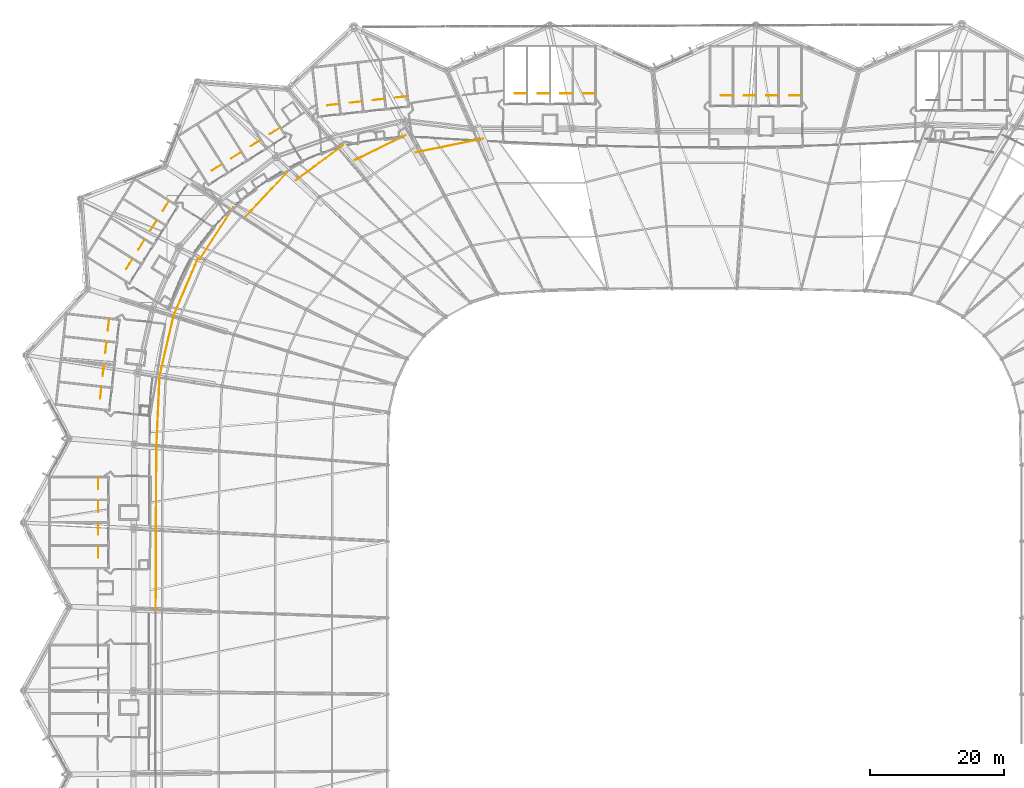
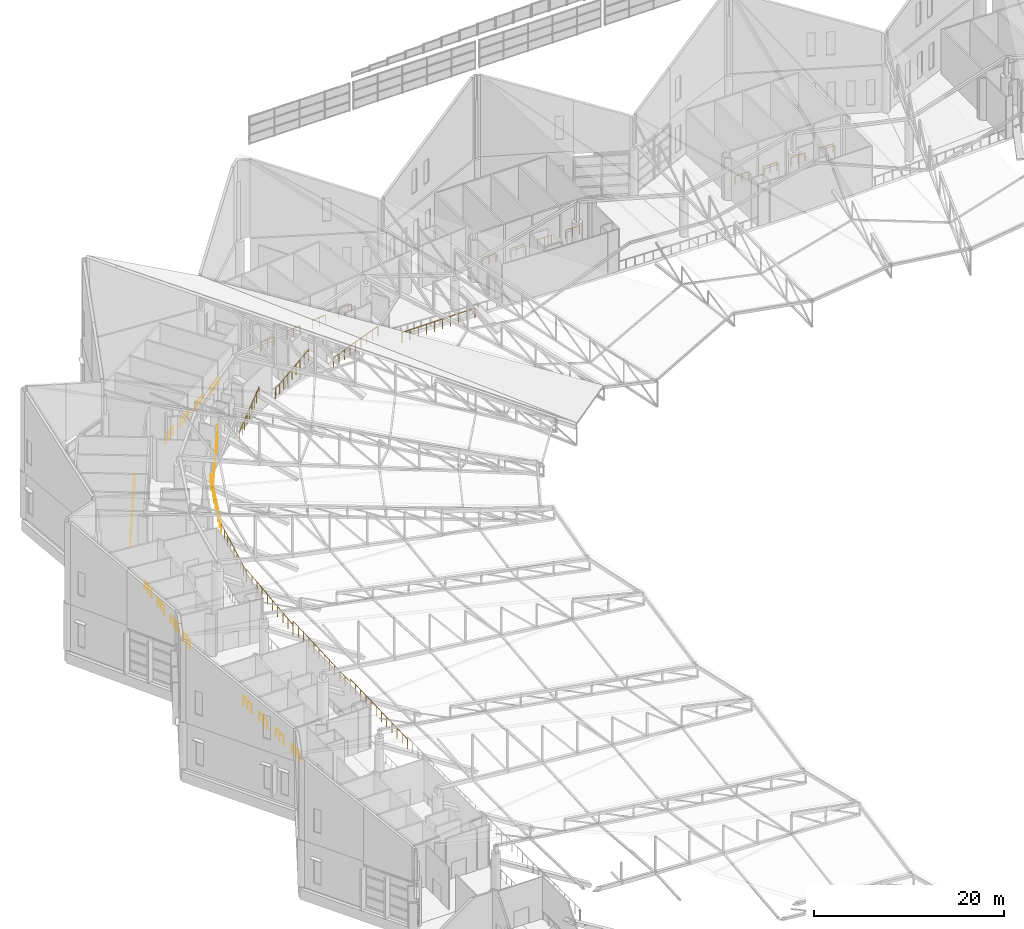
# One storey, part 343 of 344: 38 railings.
"""IFC4 building model written with IfcOpenShell, lengths in metres."""

from ifc_helpers import new_model, si_unit, direction, frame, origin, origin_2d, place, context, subcontext, project, spatial, circle, extrude, material, type_object, element, save


model = new_model("IFC4")

# Units and contexts
model_context = context("Model", 3, precision=1e-05, world=origin(), true_north=direction((0.0, 1.0)))
body_context = subcontext(model_context, "Body", "Model", "MODEL_VIEW")
ifc_project = project(units=[si_unit("LENGTHUNIT", "METRE"), si_unit("AREAUNIT", "SQUARE_METRE"), si_unit("VOLUMEUNIT", "CUBIC_METRE"), si_unit("PLANEANGLEUNIT", "RADIAN"), si_unit("MASSUNIT", "GRAM", prefix="KILO")], contexts=[model_context])

# Site, building, storey
site_placement = place(None, origin())
site = spatial("IfcSite", under=ifc_project, at=site_placement, CompositionType="ELEMENT")
building_placement = place(site_placement, origin())
building = spatial("IfcBuilding", under=site, at=building_placement, Name="Meseta Stadium", CompositionType="ELEMENT")
storey_placement = place(building_placement, frame((0.0, 0.0, 24.0)))
storey = spatial("IfcBuildingStorey", under=building, at=storey_placement, Name="L04", CompositionType="ELEMENT", Elevation=24.0)

# Railings
ifc_material_1 = material(Name="Steel S355", Category="steel")
railing_type_1 = type_object("IfcRailingType", Name="Stair guard 1100", PredefinedType="GUARDRAIL", material=ifc_material_1)
for number, where, name in (
    (1, (14.36669921875, 94.85009765625, 0.0), "ST37 L04 well guard 1"),
    (2, (10.966552734375, 94.85009765625, 0.0), "ST38 L04 well guard 1"),
    (3, (7.566650390625, 94.85009765625, 0.0), "ST39 L04 well guard 1"),
):
    element("IfcRailing", number, at=place(storey_placement, frame(where)), inside=storey, type_object=railing_type_1, Name=name, PredefinedType="GUARDRAIL", context=body_context, shape_type="SweptSolid", body=[
        extrude(circle(Radius=0.02392578125, at=origin_2d()), frame((0.0, 0.0, 1.076171875), z_axis=(-1.0, 0.0, 0.0), x_axis=(0.0, -1.0, 0.0)), (0.0, 0.0, 1.0), 1.699951171875),
        extrude(circle(Radius=0.02099609375, at=origin_2d()), origin(), (0.0, 0.0, 1.0), 1.052001953125),
        extrude(circle(Radius=0.02099609375, at=origin_2d()), frame((-0.85009765625, 0.0, 0.0)), (0.0, 0.0, 1.0), 1.052001953125),
        extrude(circle(Radius=0.02099609375, at=origin_2d()), frame((-1.699951171875, 0.0, 0.0)), (0.0, 0.0, 1.0), 1.052001953125),
    ])
railing_1_placement = place(storey_placement, frame((4.166748046875, 94.85009765625, 0.0)))
element("IfcRailing", 4, at=railing_1_placement, inside=storey, type_object=railing_type_1, Name="ST40 L04 well guard 1", PredefinedType="GUARDRAIL", context=body_context, shape_type="SweptSolid", body=[
    extrude(circle(Radius=0.02392578125, at=origin_2d()), frame((0.0, 0.0, 1.076171875), z_axis=(-1.0, 0.0, 0.0), x_axis=(0.0, -1.0, 0.0)), (0.0, 0.0, 1.0), 1.7001953125),
    extrude(circle(Radius=0.02099609375, at=origin_2d()), origin(), (0.0, 0.0, 1.0), 1.052001953125),
    extrude(circle(Radius=0.02099609375, at=origin_2d()), frame((-0.85009765625, 0.0, 0.0)), (0.0, 0.0, 1.0), 1.052001953125),
    extrude(circle(Radius=0.02099609375, at=origin_2d()), frame((-1.7001953125, 0.0, 0.0)), (0.0, 0.0, 1.0), 1.052001953125),
])
for number, where, name in (
    (5, (-16.300048828125, 95.14990234375, 0.0), "ST41 L04 well guard 1"),
    (6, (-19.699951171875, 95.14990234375, 0.0), "ST42 L04 well guard 1"),
    (7, (-23.10009765625, 95.14990234375, 0.0), "ST43 L04 well guard 1"),
    (8, (-26.5, 95.14990234375, 0.0), "ST44 L04 well guard 1"),
):
    element("IfcRailing", number, at=place(storey_placement, frame(where)), inside=storey, type_object=railing_type_1, Name=name, PredefinedType="GUARDRAIL", context=body_context, shape_type="SweptSolid", body=[
        extrude(circle(Radius=0.02392578125, at=origin_2d()), frame((0.0, 0.0, 1.076171875), z_axis=(-1.0, 0.0, 0.0), x_axis=(0.0, -1.0, 0.0)), (0.0, 0.0, 1.0), 1.699951171875),
        extrude(circle(Radius=0.02099609375, at=origin_2d()), origin(), (0.0, 0.0, 1.0), 1.052001953125),
        extrude(circle(Radius=0.02099609375, at=origin_2d()), frame((-0.85009765625, 0.0, 0.0)), (0.0, 0.0, 1.0), 1.052001953125),
        extrude(circle(Radius=0.02099609375, at=origin_2d()), frame((-1.699951171875, 0.0, 0.0)), (0.0, 0.0, 1.0), 1.052001953125),
    ])
for number, where, name in (
    (9, (-44.296630859375, 94.721923828125, 0.0), "ST45 L04 well guard 1"),
    (10, (-47.67529296875, 94.34130859375, 0.0), "ST46 L04 well guard 1"),
):
    element("IfcRailing", number, at=place(storey_placement, frame(where)), inside=storey, type_object=railing_type_1, Name=name, PredefinedType="GUARDRAIL", context=body_context, shape_type="SweptSolid", body=[
        extrude(circle(Radius=0.02392578125, at=origin_2d()), frame((0.0, 0.0, 1.076171875), z_axis=(-0.993705561929, -0.112023462683, 0.0), x_axis=(0.112023462683, -0.993705561929, 0.0)), (0.0, 0.0, 1.0), 1.699951171875),
        extrude(circle(Radius=0.02099609375, at=origin_2d()), origin(), (0.0, 0.0, 1.0), 1.052001953125),
        extrude(circle(Radius=0.02099609375, at=origin_2d()), frame((-0.8447265625, -0.09521484375, 0.0)), (0.0, 0.0, 1.0), 1.052001953125),
        extrude(circle(Radius=0.02099609375, at=origin_2d()), frame((-1.689208984375, -0.1904296875, 0.0)), (0.0, 0.0, 1.0), 1.052001953125),
    ])
for number, where, name in (
    (11, (-51.0537109375, 93.96044921875, 0.0), "ST47 L04 well guard 1"),
    (12, (-54.432373046875, 93.579833984375, 0.0), "ST48 L04 well guard 1"),
):
    element("IfcRailing", number, at=place(storey_placement, frame(where)), inside=storey, type_object=railing_type_1, Name=name, PredefinedType="GUARDRAIL", context=body_context, shape_type="SweptSolid", body=[
        extrude(circle(Radius=0.02392578125, at=origin_2d()), frame((0.0, 0.0, 1.076171875), z_axis=(-0.993723336991, -0.111865676231, 0.0), x_axis=(0.111865676231, -0.993723336991, 0.0)), (0.0, 0.0, 1.0), 1.7001953125),
        extrude(circle(Radius=0.02099609375, at=origin_2d()), origin(), (0.0, 0.0, 1.0), 1.052001953125),
        extrude(circle(Radius=0.02099609375, at=origin_2d()), frame((-0.8447265625, -0.09521484375, 0.0)), (0.0, 0.0, 1.0), 1.052001953125),
        extrude(circle(Radius=0.02099609375, at=origin_2d()), frame((-1.689453125, -0.190185546875, 0.0)), (0.0, 0.0, 1.0), 1.052001953125),
    ])
for number, where, name in (
    (13, (-63.23095703125, 90.01611328125, 0.0), "ST49 L04 well guard 1"),
    (14, (-66.10986328125, 88.207275390625, 0.0), "ST50 L04 well guard 1"),
):
    element("IfcRailing", number, at=place(storey_placement, frame(where)), inside=storey, type_object=railing_type_1, Name=name, PredefinedType="GUARDRAIL", context=body_context, shape_type="SweptSolid", body=[
        extrude(circle(Radius=0.02392578125, at=origin_2d()), frame((0.0, 0.0, 1.076171875), z_axis=(-0.846704942353, -0.532062722425, 0.0), x_axis=(0.532062722425, -0.846704942353, 0.0)), (0.0, 0.0, 1.0), 1.699951171875),
        extrude(circle(Radius=0.02099609375, at=origin_2d()), origin(), (0.0, 0.0, 1.0), 1.052001953125),
        extrude(circle(Radius=0.02099609375, at=origin_2d()), frame((-0.7197265625, -0.4521484375, 0.0)), (0.0, 0.0, 1.0), 1.052001953125),
        extrude(circle(Radius=0.02099609375, at=origin_2d()), frame((-1.439453125, -0.904541015625, 0.0)), (0.0, 0.0, 1.0), 1.052001953125),
    ])
railing_2_placement = place(storey_placement, frame((-68.98876953125, 86.398193359375, 0.0)))
element("IfcRailing", 15, at=railing_2_placement, inside=storey, type_object=railing_type_1, Name="ST51 L04 well guard 1", PredefinedType="GUARDRAIL", context=body_context, shape_type="SweptSolid", body=[
    extrude(circle(Radius=0.02392578125, at=origin_2d()), frame((0.0, 0.0, 1.076171875), z_axis=(-0.846728987356, -0.532024456178, 0.0), x_axis=(0.532024456178, -0.846728987356, 0.0)), (0.0, 0.0, 1.0), 1.69970703125),
    extrude(circle(Radius=0.02099609375, at=origin_2d()), origin(), (0.0, 0.0, 1.0), 1.052001953125),
    extrude(circle(Radius=0.02099609375, at=origin_2d()), frame((-0.7197265625, -0.4521484375, 0.0)), (0.0, 0.0, 1.0), 1.052001953125),
    extrude(circle(Radius=0.02099609375, at=origin_2d()), frame((-1.439208984375, -0.904296875, 0.0)), (0.0, 0.0, 1.0), 1.052001953125),
])
railing_3_placement = place(storey_placement, frame((-71.867431640625, 84.58935546875, 0.0)))
element("IfcRailing", 16, at=railing_3_placement, inside=storey, type_object=railing_type_1, Name="ST52 L04 well guard 1", PredefinedType="GUARDRAIL", context=body_context, shape_type="SweptSolid", body=[
    extrude(circle(Radius=0.02392578125, at=origin_2d()), frame((0.0, 0.0, 1.076171875), z_axis=(-0.846704942353, -0.532062722425, 0.0), x_axis=(0.532062722425, -0.846704942353, 0.0)), (0.0, 0.0, 1.0), 1.699951171875),
    extrude(circle(Radius=0.02099609375, at=origin_2d()), origin(), (0.0, 0.0, 1.0), 1.052001953125),
    extrude(circle(Radius=0.02099609375, at=origin_2d()), frame((-0.7197265625, -0.4521484375, 0.0)), (0.0, 0.0, 1.0), 1.052001953125),
    extrude(circle(Radius=0.02099609375, at=origin_2d()), frame((-1.439453125, -0.904541015625, 0.0)), (0.0, 0.0, 1.0), 1.052001953125),
])
railing_4_placement = place(storey_placement, frame((-79.733642578125, 79.109130859375, 0.0)))
element("IfcRailing", 17, at=railing_4_placement, inside=storey, type_object=railing_type_1, Name="ST53 L04 well guard 1", PredefinedType="GUARDRAIL", context=body_context, shape_type="SweptSolid", body=[
    extrude(circle(Radius=0.02392578125, at=origin_2d()), frame((0.0, 0.0, 1.076171875), z_axis=(-0.531959757672, -0.846769635862, 0.0), x_axis=(0.846769635862, -0.531959757672, 0.0)), (0.0, 0.0, 1.0), 1.699951171875),
    extrude(circle(Radius=0.02099609375, at=origin_2d()), origin(), (0.0, 0.0, 1.0), 1.052001953125),
    extrude(circle(Radius=0.02099609375, at=origin_2d()), frame((-0.4521484375, -0.7197265625, 0.0)), (0.0, 0.0, 1.0), 1.052001953125),
    extrude(circle(Radius=0.02099609375, at=origin_2d()), frame((-0.904296875, -1.439453125, 0.0)), (0.0, 0.0, 1.0), 1.052001953125),
])
for number, where, name in (
    (18, (-81.54248046875, 76.230224609375, 0.0), "ST54 L04 well guard 1"),
    (19, (-83.351318359375, 73.351318359375, 0.0), "ST55 L04 well guard 1"),
):
    element("IfcRailing", number, at=place(storey_placement, frame(where)), inside=storey, type_object=railing_type_1, Name=name, PredefinedType="GUARDRAIL", context=body_context, shape_type="SweptSolid", body=[
        extrude(circle(Radius=0.02392578125, at=origin_2d()), frame((0.0, 0.0, 1.076171875), z_axis=(-0.532062722425, -0.846704942353, 0.0), x_axis=(0.846704942353, -0.532062722425, 0.0)), (0.0, 0.0, 1.0), 1.699951171875),
        extrude(circle(Radius=0.02099609375, at=origin_2d()), origin(), (0.0, 0.0, 1.0), 1.052001953125),
        extrude(circle(Radius=0.02099609375, at=origin_2d()), frame((-0.4521484375, -0.7197265625, 0.0)), (0.0, 0.0, 1.0), 1.052001953125),
        extrude(circle(Radius=0.02099609375, at=origin_2d()), frame((-0.904541015625, -1.439453125, 0.0)), (0.0, 0.0, 1.0), 1.052001953125),
    ])
railing_5_placement = place(storey_placement, frame((-85.160400390625, 70.472412109375, 0.0)))
element("IfcRailing", 20, at=railing_5_placement, inside=storey, type_object=railing_type_1, Name="ST56 L04 well guard 1", PredefinedType="GUARDRAIL", context=body_context, shape_type="SweptSolid", body=[
    extrude(circle(Radius=0.02392578125, at=origin_2d()), frame((0.0, 0.0, 1.076171875), z_axis=(-0.531959757672, -0.846769635862, 0.0), x_axis=(0.846769635862, -0.531959757672, 0.0)), (0.0, 0.0, 1.0), 1.699951171875),
    extrude(circle(Radius=0.02099609375, at=origin_2d()), origin(), (0.0, 0.0, 1.0), 1.052001953125),
    extrude(circle(Radius=0.02099609375, at=origin_2d()), frame((-0.4521484375, -0.7197265625, 0.0)), (0.0, 0.0, 1.0), 1.052001953125),
    extrude(circle(Radius=0.02099609375, at=origin_2d()), frame((-0.904296875, -1.439453125, 0.0)), (0.0, 0.0, 1.0), 1.052001953125),
])
railing_6_placement = place(storey_placement, frame((-88.62548828125, 61.545166015625, 0.0)))
element("IfcRailing", 21, at=railing_6_placement, inside=storey, type_object=railing_type_1, Name="ST57 L04 well guard 1", PredefinedType="GUARDRAIL", context=body_context, shape_type="SweptSolid", body=[
    extrude(circle(Radius=0.02392578125, at=origin_2d()), frame((0.0, 0.0, 1.076171875), z_axis=(-0.111865676231, -0.993723336991, 0.0), x_axis=(0.993723336991, -0.111865676231, 0.0)), (0.0, 0.0, 1.0), 1.7001953125),
    extrude(circle(Radius=0.02099609375, at=origin_2d()), origin(), (0.0, 0.0, 1.0), 1.052001953125),
    extrude(circle(Radius=0.02099609375, at=origin_2d()), frame((-0.09521484375, -0.8447265625, 0.0)), (0.0, 0.0, 1.0), 1.052001953125),
    extrude(circle(Radius=0.02099609375, at=origin_2d()), frame((-0.190185546875, -1.689453125, 0.0)), (0.0, 0.0, 1.0), 1.052001953125),
])
railing_7_placement = place(storey_placement, frame((-89.006103515625, 58.16650390625, 0.0)))
element("IfcRailing", 22, at=railing_7_placement, inside=storey, type_object=railing_type_1, Name="ST58 L04 well guard 1", PredefinedType="GUARDRAIL", context=body_context, shape_type="SweptSolid", body=[
    extrude(circle(Radius=0.02392578125, at=origin_2d()), frame((0.0, 0.0, 1.076171875), z_axis=(-0.11188164176, -0.993721539586, 0.0), x_axis=(0.993721539586, -0.11188164176, 0.0)), (0.0, 0.0, 1.0), 1.699951171875),
    extrude(circle(Radius=0.02099609375, at=origin_2d()), origin(), (0.0, 0.0, 1.0), 1.052001953125),
    extrude(circle(Radius=0.02099609375, at=origin_2d()), frame((-0.09521484375, -0.8447265625, 0.0)), (0.0, 0.0, 1.0), 1.052001953125),
    extrude(circle(Radius=0.02099609375, at=origin_2d()), frame((-0.190185546875, -1.689208984375, 0.0)), (0.0, 0.0, 1.0), 1.052001953125),
])
for number, where, name in (
    (23, (-89.38671875, 54.787841796875, 0.0), "ST59 L04 well guard 1"),
    (24, (-89.767333984375, 51.4091796875, 0.0), "ST60 L04 well guard 1"),
):
    element("IfcRailing", number, at=place(storey_placement, frame(where)), inside=storey, type_object=railing_type_1, Name=name, PredefinedType="GUARDRAIL", context=body_context, shape_type="SweptSolid", body=[
        extrude(circle(Radius=0.02392578125, at=origin_2d()), frame((0.0, 0.0, 1.076171875), z_axis=(-0.112023462683, -0.993705561929, 0.0), x_axis=(0.993705561929, -0.112023462683, 0.0)), (0.0, 0.0, 1.0), 1.699951171875),
        extrude(circle(Radius=0.02099609375, at=origin_2d()), origin(), (0.0, 0.0, 1.0), 1.052001953125),
        extrude(circle(Radius=0.02099609375, at=origin_2d()), frame((-0.09521484375, -0.8447265625, 0.0)), (0.0, 0.0, 1.0), 1.052001953125),
        extrude(circle(Radius=0.02099609375, at=origin_2d()), frame((-0.1904296875, -1.689208984375, 0.0)), (0.0, 0.0, 1.0), 1.052001953125),
    ])
for number, where, name in (
    (25, (-90.25, 37.949951171875, 0.0), "ST61 L04 well guard 1"),
    (26, (-90.25, 34.550048828125, 0.0), "ST62 L04 well guard 1"),
    (27, (-90.25, 31.14990234375, 0.0), "ST63 L04 well guard 1"),
    (28, (-90.25, 27.75, 0.0), "ST64 L04 well guard 1"),
):
    element("IfcRailing", number, at=place(storey_placement, frame(where)), inside=storey, type_object=railing_type_1, Name=name, PredefinedType="GUARDRAIL", context=body_context, shape_type="SweptSolid", body=[
        extrude(circle(Radius=0.02392578125, at=origin_2d()), frame((0.0, 0.0, 1.076171875), z_axis=(0.0, -1.0, 0.0), x_axis=(1.0, 0.0, 0.0)), (0.0, 0.0, 1.0), 1.699951171875),
        extrude(circle(Radius=0.02099609375, at=origin_2d()), origin(), (0.0, 0.0, 1.0), 1.052001953125),
        extrude(circle(Radius=0.02099609375, at=origin_2d()), frame((0.0, -0.85009765625, 0.0)), (0.0, 0.0, 1.0), 1.052001953125),
        extrude(circle(Radius=0.02099609375, at=origin_2d()), frame((0.0, -1.699951171875, 0.0)), (0.0, 0.0, 1.0), 1.052001953125),
    ])
ifc_material_2 = material(Name="Steel S355", Category="steel")
railing_type_2 = type_object("IfcRailingType", Name="Stand rear guard 1300", PredefinedType="GUARDRAIL", material=ifc_material_2)
railing_8_placement = place(storey_placement, frame((-32.94384765625, 88.418701171875, -0.89697265625)))
element("IfcRailing", 29, at=railing_8_placement, inside=storey, type_object=railing_type_2, Name="Stand upper tier rear guard bay 22", PredefinedType="GUARDRAIL", context=body_context, shape_type="SweptSolid", body=[
    extrude(circle(Radius=0.02490234375, at=origin_2d()), frame((0.0, 0.0, 1.27490234375), z_axis=(-0.968175794174, -0.197036068261, 0.154312732398), x_axis=(0.199424767209, -0.979913140142, 0.0)), (0.0, 0.0, 1.0), 10.365966796875),
    extrude(circle(Radius=0.02001953125, at=origin_2d()), origin(), (0.0, 0.0, 1.0), 1.25),
    extrude(circle(Radius=0.02001953125, at=origin_2d()), frame((-1.115234375, -0.22705078125, 0.177734375)), (0.0, 0.0, 1.0), 1.25),
    extrude(circle(Radius=0.02001953125, at=origin_2d()), frame((-2.230224609375, -0.453857421875, 0.35546875)), (0.0, 0.0, 1.0), 1.25),
    extrude(circle(Radius=0.02001953125, at=origin_2d()), frame((-3.345458984375, -0.680908203125, 0.533203125)), (0.0, 0.0, 1.0), 1.25),
    extrude(circle(Radius=0.02001953125, at=origin_2d()), frame((-4.46044921875, -0.90771484375, 0.7109375)), (0.0, 0.0, 1.0), 1.25),
    extrude(circle(Radius=0.02001953125, at=origin_2d()), frame((-5.57568359375, -1.134765625, 0.888671875)), (0.0, 0.0, 1.0), 1.25),
    extrude(circle(Radius=0.02001953125, at=origin_2d()), frame((-6.690673828125, -1.361572265625, 1.06640625)), (0.0, 0.0, 1.0), 1.25),
    extrude(circle(Radius=0.02001953125, at=origin_2d()), frame((-7.805908203125, -1.588623046875, 1.244140625)), (0.0, 0.0, 1.0), 1.25),
    extrude(circle(Radius=0.02001953125, at=origin_2d()), frame((-8.9208984375, -1.8154296875, 1.421875)), (0.0, 0.0, 1.0), 1.25),
    extrude(circle(Radius=0.02001953125, at=origin_2d()), frame((-10.0361328125, -2.04248046875, 1.599609375)), (0.0, 0.0, 1.0), 1.25),
])
railing_9_placement = place(storey_placement, frame((-44.454345703125, 88.926513671875, 0.5029296875)))
element("IfcRailing", 30, at=railing_9_placement, inside=storey, type_object=railing_type_2, Name="Stand upper tier rear guard bay 23", PredefinedType="GUARDRAIL", context=body_context, shape_type="SweptSolid", body=[
    extrude(circle(Radius=0.02490234375, at=origin_2d()), frame((0.0, 0.0, 1.27490234375), z_axis=(-0.894887665062, -0.436479057377, 0.093070400184), x_axis=(0.438381840399, -0.898788830598, 0.0)), (0.0, 0.0, 1.0), 8.438720703125),
    extrude(circle(Radius=0.02001953125, at=origin_2d()), origin(), (0.0, 0.0, 1.0), 1.25),
    extrude(circle(Radius=0.02001953125, at=origin_2d()), frame((-0.94384765625, -0.46044921875, 0.09814453125)), (0.0, 0.0, 1.0), 1.25),
    extrude(circle(Radius=0.02001953125, at=origin_2d()), frame((-1.887939453125, -0.9208984375, 0.1962890625)), (0.0, 0.0, 1.0), 1.25),
    extrude(circle(Radius=0.02001953125, at=origin_2d()), frame((-2.83203125, -1.38134765625, 0.29443359375)), (0.0, 0.0, 1.0), 1.25),
    extrude(circle(Radius=0.02001953125, at=origin_2d()), frame((-3.77587890625, -1.841796875, 0.392578125)), (0.0, 0.0, 1.0), 1.25),
    extrude(circle(Radius=0.02001953125, at=origin_2d()), frame((-4.7197265625, -2.302001953125, 0.490966796875)), (0.0, 0.0, 1.0), 1.25),
    extrude(circle(Radius=0.02001953125, at=origin_2d()), frame((-5.663818359375, -2.762451171875, 0.589111328125)), (0.0, 0.0, 1.0), 1.25),
    extrude(circle(Radius=0.02001953125, at=origin_2d()), frame((-6.60791015625, -3.222900390625, 0.687255859375)), (0.0, 0.0, 1.0), 1.25),
    extrude(circle(Radius=0.02001953125, at=origin_2d()), frame((-7.5517578125, -3.683349609375, 0.785400390625)), (0.0, 0.0, 1.0), 1.25),
])
railing_10_placement = place(storey_placement, frame((-53.779052734375, 87.440185546875, 1.57470703125)))
element("IfcRailing", 31, at=railing_10_placement, inside=storey, type_object=railing_type_2, Name="Stand upper tier rear guard bay 24", PredefinedType="GUARDRAIL", context=body_context, shape_type="SweptSolid", body=[
    extrude(circle(Radius=0.02490234375, at=origin_2d()), frame((0.0, 0.0, 1.27490234375), z_axis=(-0.800962740226, -0.594214075961, 0.07326882488), x_axis=(0.595815492402, -0.803121347626, 0.0)), (0.0, 0.0, 1.0), 8.750244140625),
    extrude(circle(Radius=0.02001953125, at=origin_2d()), origin(), (0.0, 0.0, 1.0), 1.25),
    extrude(circle(Radius=0.02001953125, at=origin_2d()), frame((-0.8759765625, -0.64990234375, 0.080078125)), (0.0, 0.0, 1.0), 1.25),
    extrude(circle(Radius=0.02001953125, at=origin_2d()), frame((-1.752197265625, -1.2998046875, 0.16015625)), (0.0, 0.0, 1.0), 1.25),
    extrude(circle(Radius=0.02001953125, at=origin_2d()), frame((-2.628173828125, -1.94970703125, 0.240478515625)), (0.0, 0.0, 1.0), 1.25),
    extrude(circle(Radius=0.02001953125, at=origin_2d()), frame((-3.50439453125, -2.599609375, 0.320556640625)), (0.0, 0.0, 1.0), 1.25),
    extrude(circle(Radius=0.02001953125, at=origin_2d()), frame((-4.38037109375, -3.249755859375, 0.400634765625)), (0.0, 0.0, 1.0), 1.25),
    extrude(circle(Radius=0.02001953125, at=origin_2d()), frame((-5.25634765625, -3.899658203125, 0.48095703125)), (0.0, 0.0, 1.0), 1.25),
    extrude(circle(Radius=0.02001953125, at=origin_2d()), frame((-6.132568359375, -4.549560546875, 0.56103515625)), (0.0, 0.0, 1.0), 1.25),
    extrude(circle(Radius=0.02001953125, at=origin_2d()), frame((-7.008544921875, -5.199462890625, 0.64111328125)), (0.0, 0.0, 1.0), 1.25),
])
railing_11_placement = place(storey_placement, frame((-62.0908203125, 83.43359375, 2.152587890625)))
element("IfcRailing", 32, at=railing_11_placement, inside=storey, type_object=railing_type_2, Name="Stand upper tier rear guard bay 25", PredefinedType="GUARDRAIL", context=body_context, shape_type="SweptSolid", body=[
    extrude(circle(Radius=0.02490234375, at=origin_2d()), frame((0.0, 0.0, 1.27490234375), z_axis=(-0.683205851583, -0.728197123106, 0.054394064599), x_axis=(0.729276783109, -0.684218805368, 0.0)), (0.0, 0.0, 1.0), 8.931884765625),
    extrude(circle(Radius=0.02001953125, at=origin_2d()), origin(), (0.0, 0.0, 1.0), 1.25),
    extrude(circle(Radius=0.02001953125, at=origin_2d()), frame((-0.7626953125, -0.81298828125, 0.060791015625)), (0.0, 0.0, 1.0), 1.25),
    extrude(circle(Radius=0.02001953125, at=origin_2d()), frame((-1.525634765625, -1.6259765625, 0.12158203125)), (0.0, 0.0, 1.0), 1.25),
    extrude(circle(Radius=0.02001953125, at=origin_2d()), frame((-2.288330078125, -2.43896484375, 0.18212890625)), (0.0, 0.0, 1.0), 1.25),
    extrude(circle(Radius=0.02001953125, at=origin_2d()), frame((-3.05126953125, -3.251953125, 0.242919921875)), (0.0, 0.0, 1.0), 1.25),
    extrude(circle(Radius=0.02001953125, at=origin_2d()), frame((-3.81396484375, -4.065185546875, 0.3037109375)), (0.0, 0.0, 1.0), 1.25),
    extrude(circle(Radius=0.02001953125, at=origin_2d()), frame((-4.57666015625, -4.878173828125, 0.3642578125)), (0.0, 0.0, 1.0), 1.25),
    extrude(circle(Radius=0.02001953125, at=origin_2d()), frame((-5.339599609375, -5.691162109375, 0.425048828125)), (0.0, 0.0, 1.0), 1.25),
    extrude(circle(Radius=0.02001953125, at=origin_2d()), frame((-6.102294921875, -6.504150390625, 0.48583984375)), (0.0, 0.0, 1.0), 1.25),
])
railing_12_placement = place(storey_placement, frame((-70.093994140625, 78.212890625, 3.232666015625)))
element("IfcRailing", 33, at=railing_12_placement, inside=storey, type_object=railing_type_2, Name="Stand upper tier rear guard bay 26", PredefinedType="GUARDRAIL", context=body_context, shape_type="SweptSolid", body=[
    extrude(circle(Radius=0.02490234375, at=origin_2d()), frame((0.0, 0.0, 1.27490234375), z_axis=(-0.544637168371, -0.83794002174, 0.035026772552), x_axis=(0.838454518953, -0.544971576917, 0.0)), (0.0, 0.0, 1.0), 9.214599609375),
    extrude(circle(Radius=0.02001953125, at=origin_2d()), origin(), (0.0, 0.0, 1.0), 1.25),
    extrude(circle(Radius=0.02001953125, at=origin_2d()), frame((-0.62744140625, -0.965087890625, 0.040283203125)), (0.0, 0.0, 1.0), 1.25),
    extrude(circle(Radius=0.02001953125, at=origin_2d()), frame((-1.254638671875, -1.93017578125, 0.08056640625)), (0.0, 0.0, 1.0), 1.25),
    extrude(circle(Radius=0.02001953125, at=origin_2d()), frame((-1.8818359375, -2.8955078125, 0.12109375)), (0.0, 0.0, 1.0), 1.25),
    extrude(circle(Radius=0.02001953125, at=origin_2d()), frame((-2.50927734375, -3.860595703125, 0.161376953125)), (0.0, 0.0, 1.0), 1.25),
    extrude(circle(Radius=0.02001953125, at=origin_2d()), frame((-3.13671875, -4.82568359375, 0.20166015625)), (0.0, 0.0, 1.0), 1.25),
    extrude(circle(Radius=0.02001953125, at=origin_2d()), frame((-3.763916015625, -5.791015625, 0.2421875)), (0.0, 0.0, 1.0), 1.25),
    extrude(circle(Radius=0.02001953125, at=origin_2d()), frame((-4.39111328125, -6.756103515625, 0.282470703125)), (0.0, 0.0, 1.0), 1.25),
    extrude(circle(Radius=0.02001953125, at=origin_2d()), frame((-5.0185546875, -7.72119140625, 0.32275390625)), (0.0, 0.0, 1.0), 1.25),
])
railing_13_placement = place(storey_placement, frame((-75.379638671875, 70.6201171875, 3.3173828125)))
element("IfcRailing", 34, at=railing_13_placement, inside=storey, type_object=railing_type_2, Name="Stand upper tier rear guard bay 27", PredefinedType="GUARDRAIL", context=body_context, shape_type="SweptSolid", body=[
    extrude(circle(Radius=0.02490234375, at=origin_2d()), frame((0.0, 0.0, 1.27490234375), z_axis=(-0.391678969122, -0.919949530111, 0.016746557748), x_axis=(0.920078555883, -0.391733903312, 0.0)), (0.0, 0.0, 1.0), 9.228271484375),
    extrude(circle(Radius=0.02001953125, at=origin_2d()), origin(), (0.0, 0.0, 1.0), 1.25),
    extrude(circle(Radius=0.02001953125, at=origin_2d()), frame((-0.451904296875, -1.061279296875, 0.019287109375)), (0.0, 0.0, 1.0), 1.25),
    extrude(circle(Radius=0.02001953125, at=origin_2d()), frame((-0.903564453125, -2.122314453125, 0.03857421875)), (0.0, 0.0, 1.0), 1.25),
    extrude(circle(Radius=0.02001953125, at=origin_2d()), frame((-1.35546875, -3.18359375, 0.057861328125)), (0.0, 0.0, 1.0), 1.25),
    extrude(circle(Radius=0.02001953125, at=origin_2d()), frame((-1.80712890625, -4.24462890625, 0.0771484375)), (0.0, 0.0, 1.0), 1.25),
    extrude(circle(Radius=0.02001953125, at=origin_2d()), frame((-2.259033203125, -5.305908203125, 0.0966796875)), (0.0, 0.0, 1.0), 1.25),
    extrude(circle(Radius=0.02001953125, at=origin_2d()), frame((-2.7109375, -6.3671875, 0.115966796875)), (0.0, 0.0, 1.0), 1.25),
    extrude(circle(Radius=0.02001953125, at=origin_2d()), frame((-3.16259765625, -7.42822265625, 0.13525390625)), (0.0, 0.0, 1.0), 1.25),
    extrude(circle(Radius=0.02001953125, at=origin_2d()), frame((-3.614501953125, -8.489501953125, 0.154541015625)), (0.0, 0.0, 1.0), 1.25),
])
railing_14_placement = place(storey_placement, frame((-78.994140625, 62.130615234375, 3.402587890625)))
element("IfcRailing", 35, at=railing_14_placement, inside=storey, type_object=railing_type_2, Name="Stand upper tier rear guard bay 28", PredefinedType="GUARDRAIL", context=body_context, shape_type="SweptSolid", body=[
    extrude(circle(Radius=0.02490234375, at=origin_2d()), frame((0.0, 0.0, 1.27490234375), z_axis=(-0.227072763865, -0.973876320861, -0.001694572865), x_axis=(0.973877719144, -0.227073089894, 0.0)), (0.0, 0.0, 1.0), 9.220703125),
    extrude(circle(Radius=0.02001953125, at=origin_2d()), origin(), (0.0, 0.0, 1.0), 1.25),
    extrude(circle(Radius=0.02001953125, at=origin_2d()), frame((-0.26171875, -1.12255859375, -0.001953125)), (0.0, 0.0, 1.0), 1.25),
    extrude(circle(Radius=0.02001953125, at=origin_2d()), frame((-0.5234375, -2.244873046875, -0.00390625)), (0.0, 0.0, 1.0), 1.25),
    extrude(circle(Radius=0.02001953125, at=origin_2d()), frame((-0.78515625, -3.367431640625, -0.005859375)), (0.0, 0.0, 1.0), 1.25),
    extrude(circle(Radius=0.02001953125, at=origin_2d()), frame((-1.046875, -4.48974609375, -0.0078125)), (0.0, 0.0, 1.0), 1.25),
    extrude(circle(Radius=0.02001953125, at=origin_2d()), frame((-1.30859375, -5.6123046875, -0.009765625)), (0.0, 0.0, 1.0), 1.25),
    extrude(circle(Radius=0.02001953125, at=origin_2d()), frame((-1.5703125, -6.73486328125, -0.01171875)), (0.0, 0.0, 1.0), 1.25),
    extrude(circle(Radius=0.02001953125, at=origin_2d()), frame((-1.83203125, -7.857177734375, -0.013671875)), (0.0, 0.0, 1.0), 1.25),
    extrude(circle(Radius=0.02001953125, at=origin_2d()), frame((-2.09375, -8.979736328125, -0.015625)), (0.0, 0.0, 1.0), 1.25),
])
railing_15_placement = place(storey_placement, frame((-81.087890625, 53.15087890625, 3.66357421875)))
element("IfcRailing", 36, at=railing_15_placement, inside=storey, type_object=railing_type_2, Name="Stand upper tier rear guard bay 29", PredefinedType="GUARDRAIL", context=body_context, shape_type="SweptSolid", body=[
    extrude(circle(Radius=0.02490234375, at=origin_2d()), frame((0.0, 0.0, 1.27490234375), z_axis=(-0.046116354066, -0.997923166182, -0.044973728841), x_axis=(0.99893391753, -0.04616306324, 0.0)), (0.0, 0.0, 1.0), 10.683349609375),
    extrude(circle(Radius=0.02001953125, at=origin_2d()), origin(), (0.0, 0.0, 1.0), 1.25),
    extrude(circle(Radius=0.02001953125, at=origin_2d()), frame((-0.0546875, -1.1845703125, -0.053466796875)), (0.0, 0.0, 1.0), 1.25),
    extrude(circle(Radius=0.02001953125, at=origin_2d()), frame((-0.109375, -2.369140625, -0.106689453125)), (0.0, 0.0, 1.0), 1.25),
    extrude(circle(Radius=0.02001953125, at=origin_2d()), frame((-0.164306640625, -3.5537109375, -0.16015625)), (0.0, 0.0, 1.0), 1.25),
    extrude(circle(Radius=0.02001953125, at=origin_2d()), frame((-0.218994140625, -4.73828125, -0.213623046875)), (0.0, 0.0, 1.0), 1.25),
    extrude(circle(Radius=0.02001953125, at=origin_2d()), frame((-0.273681640625, -5.9228515625, -0.266845703125)), (0.0, 0.0, 1.0), 1.25),
    extrude(circle(Radius=0.02001953125, at=origin_2d()), frame((-0.328369140625, -7.107421875, -0.3203125)), (0.0, 0.0, 1.0), 1.25),
    extrude(circle(Radius=0.02001953125, at=origin_2d()), frame((-0.38330078125, -8.2919921875, -0.373779296875)), (0.0, 0.0, 1.0), 1.25),
    extrude(circle(Radius=0.02001953125, at=origin_2d()), frame((-0.43798828125, -9.4765625, -0.427001953125)), (0.0, 0.0, 1.0), 1.25),
    extrude(circle(Radius=0.02001953125, at=origin_2d()), frame((-0.49267578125, -10.6611328125, -0.48046875)), (0.0, 0.0, 1.0), 1.25),
])
railing_16_placement = place(storey_placement, frame((-81.58056640625, 42.48974609375, 3.667236328125)))
element("IfcRailing", 37, at=railing_16_placement, inside=storey, type_object=railing_type_2, Name="Stand upper tier rear guard bay 30", PredefinedType="GUARDRAIL", context=body_context, shape_type="SweptSolid", body=[
    extrude(circle(Radius=0.02490234375, at=origin_2d()), frame((0.0, 0.0, 1.27490234375), z_axis=(-0.004804166005, -0.99926652903, -0.037991103554), x_axis=(0.999988443248, -0.004807636746, 0.0)), (0.0, 0.0, 1.0), 12.1455078125),
    extrude(circle(Radius=0.02001953125, at=origin_2d()), origin(), (0.0, 0.0, 1.0), 1.25),
    extrude(circle(Radius=0.02001953125, at=origin_2d()), frame((-0.00537109375, -1.103271484375, -0.0419921875)), (0.0, 0.0, 1.0), 1.25),
    extrude(circle(Radius=0.02001953125, at=origin_2d()), frame((-0.010498046875, -2.206787109375, -0.083984375)), (0.0, 0.0, 1.0), 1.25),
    extrude(circle(Radius=0.02001953125, at=origin_2d()), frame((-0.015869140625, -3.31005859375, -0.125732421875)), (0.0, 0.0, 1.0), 1.25),
    extrude(circle(Radius=0.02001953125, at=origin_2d()), frame((-0.021240234375, -4.413330078125, -0.167724609375)), (0.0, 0.0, 1.0), 1.25),
    extrude(circle(Radius=0.02001953125, at=origin_2d()), frame((-0.026611328125, -5.5166015625, -0.209716796875)), (0.0, 0.0, 1.0), 1.25),
    extrude(circle(Radius=0.02001953125, at=origin_2d()), frame((-0.03173828125, -6.6201171875, -0.251708984375)), (0.0, 0.0, 1.0), 1.25),
    extrude(circle(Radius=0.02001953125, at=origin_2d()), frame((-0.037109375, -7.723388671875, -0.293701171875)), (0.0, 0.0, 1.0), 1.25),
    extrude(circle(Radius=0.02001953125, at=origin_2d()), frame((-0.04248046875, -8.82666015625, -0.335693359375)), (0.0, 0.0, 1.0), 1.25),
    extrude(circle(Radius=0.02001953125, at=origin_2d()), frame((-0.0478515625, -9.929931640625, -0.37744140625)), (0.0, 0.0, 1.0), 1.25),
    extrude(circle(Radius=0.02001953125, at=origin_2d()), frame((-0.052978515625, -11.033447265625, -0.41943359375)), (0.0, 0.0, 1.0), 1.25),
    extrude(circle(Radius=0.02001953125, at=origin_2d()), frame((-0.058349609375, -12.13671875, -0.46142578125)), (0.0, 0.0, 1.0), 1.25),
])
railing_17_placement = place(storey_placement, frame((-81.638916015625, 30.35302734375, 3.590576171875)))
element("IfcRailing", 38, at=railing_17_placement, inside=storey, type_object=railing_type_2, Name="Stand upper tier rear guard bay 31", PredefinedType="GUARDRAIL", context=body_context, shape_type="SweptSolid", body=[
    extrude(circle(Radius=0.02490234375, at=origin_2d()), frame((0.0, 0.0, 1.27490234375), z_axis=(-0.003216644897, -0.999672922015, -0.025371286628), x_axis=(0.999994823252, -0.003217680678, 0.0)), (0.0, 0.0, 1.0), 12.143798828125),
    extrude(circle(Radius=0.02001953125, at=origin_2d()), origin(), (0.0, 0.0, 1.0), 1.25),
    extrude(circle(Radius=0.02001953125, at=origin_2d()), frame((-0.003662109375, -1.103515625, -0.028076171875)), (0.0, 0.0, 1.0), 1.25),
    extrude(circle(Radius=0.02001953125, at=origin_2d()), frame((-0.007080078125, -2.207275390625, -0.055908203125)), (0.0, 0.0, 1.0), 1.25),
    extrude(circle(Radius=0.02001953125, at=origin_2d()), frame((-0.0107421875, -3.310791015625, -0.083984375)), (0.0, 0.0, 1.0), 1.25),
    extrude(circle(Radius=0.02001953125, at=origin_2d()), frame((-0.01416015625, -4.41455078125, -0.112060546875)), (0.0, 0.0, 1.0), 1.25),
    extrude(circle(Radius=0.02001953125, at=origin_2d()), frame((-0.017822265625, -5.51806640625, -0.14013671875)), (0.0, 0.0, 1.0), 1.25),
    extrude(circle(Radius=0.02001953125, at=origin_2d()), frame((-0.021240234375, -6.621826171875, -0.16796875)), (0.0, 0.0, 1.0), 1.25),
    extrude(circle(Radius=0.02001953125, at=origin_2d()), frame((-0.02490234375, -7.725341796875, -0.196044921875)), (0.0, 0.0, 1.0), 1.25),
    extrude(circle(Radius=0.02001953125, at=origin_2d()), frame((-0.0283203125, -8.8291015625, -0.22412109375)), (0.0, 0.0, 1.0), 1.25),
    extrude(circle(Radius=0.02001953125, at=origin_2d()), frame((-0.031982421875, -9.9326171875, -0.252197265625)), (0.0, 0.0, 1.0), 1.25),
    extrude(circle(Radius=0.02001953125, at=origin_2d()), frame((-0.035400390625, -11.036376953125, -0.280029296875)), (0.0, 0.0, 1.0), 1.25),
    extrude(circle(Radius=0.02001953125, at=origin_2d()), frame((-0.0390625, -12.139892578125, -0.30810546875)), (0.0, 0.0, 1.0), 1.25),
])

save(model, "model.ifc")
